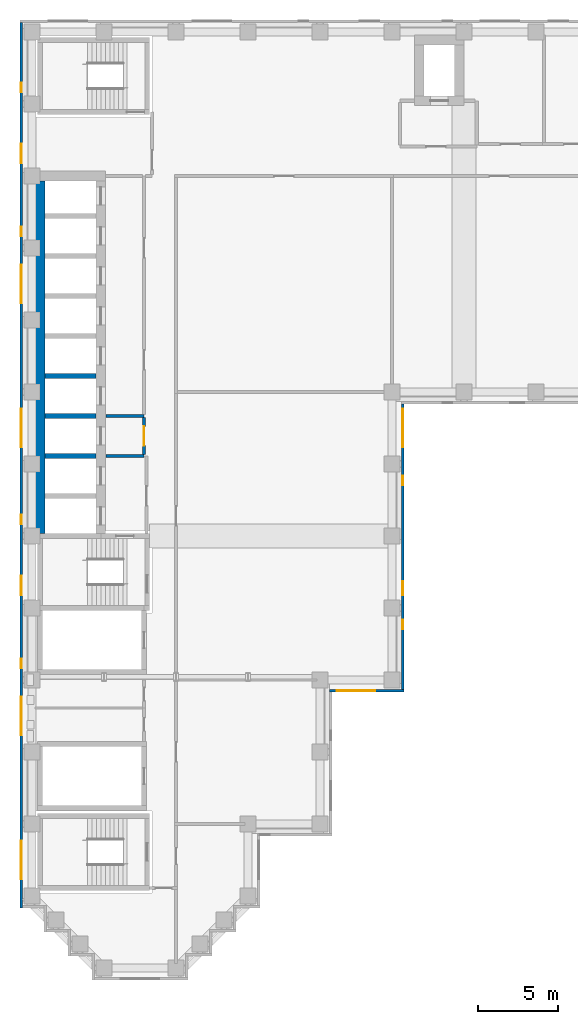
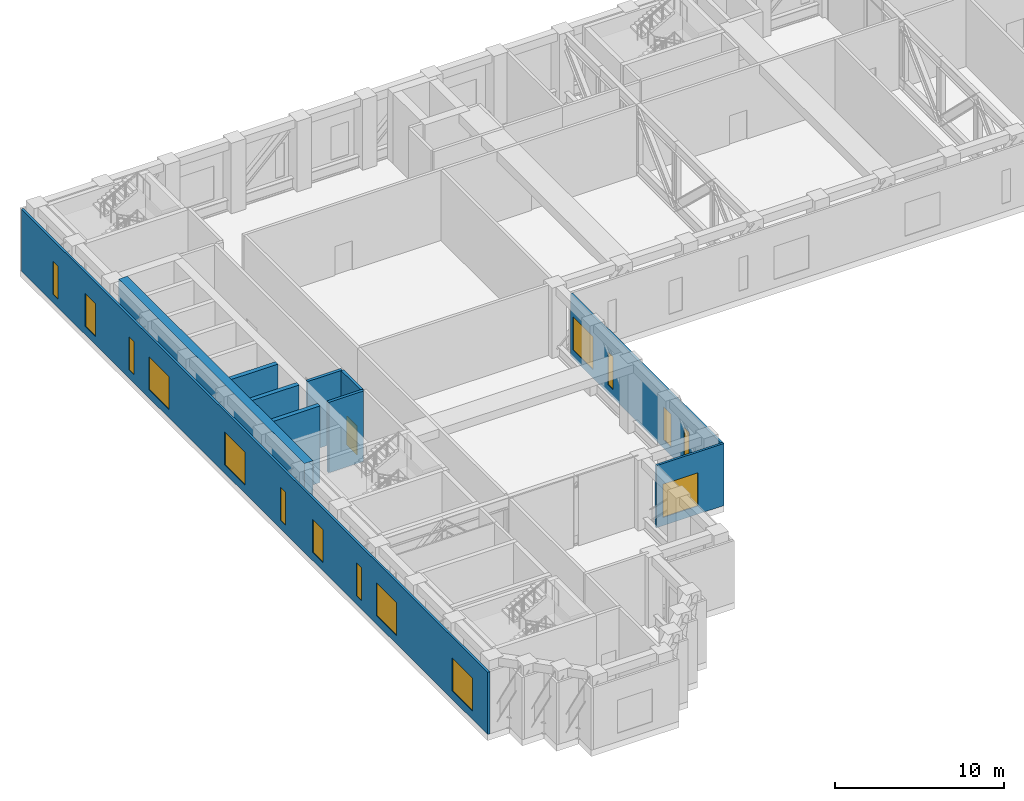
# One storey, part 6 of 14: 15 windows, 10 walls, 1 door, 16 openings.
"""IFC4 building model written with IfcOpenShell, lengths in metres."""

from ifc_helpers import new_model, si_unit, direction, frame, frame_2d, origin, place, context, subcontext, project, spatial, rectangle, extrude, material, layer, layer_set, type_object, element, fill, save


model = new_model("IFC4")

# Units and contexts
model_context = context("Model", 3, precision=1e-05, world=origin(), true_north=direction((0.0, 1.0)))
body_context = subcontext(model_context, "Body", "Model", "MODEL_VIEW")
ifc_project = project(units=[si_unit("LENGTHUNIT", "METRE"), si_unit("AREAUNIT", "SQUARE_METRE"), si_unit("VOLUMEUNIT", "CUBIC_METRE"), si_unit("PLANEANGLEUNIT", "RADIAN"), si_unit("MASSUNIT", "GRAM", prefix="KILO")], contexts=[model_context])

# Site, building, storey
site_placement = place(None, origin())
site = spatial("IfcSite", under=ifc_project, at=site_placement, CompositionType="ELEMENT")
building_placement = place(site_placement, origin())
building = spatial("IfcBuilding", under=site, at=building_placement, Name="Firuza Court", CompositionType="ELEMENT")
storey_placement = place(building_placement, frame((0.0, 0.0, 173.60009765625)))
storey = spatial("IfcBuildingStorey", under=building, at=storey_placement, Name="L44", CompositionType="ELEMENT", Elevation=173.60009765625)

# Walls
ifc_material_1 = material(Name="Concrete C60/75", Category="concrete")
ifc_layer_1 = layer(ifc_material_1, 0.300048828125)
ifc_layer_set_1 = layer_set([ifc_layer_1], Name="Concrete C60/75")
wall_type_1 = type_object("IfcWallType", Name="Core wall 300 C60/75", PredefinedType="SHEAR", material=ifc_layer_set_1)
for number, where, z_axis, x_axis, name in (
    (1, (0.800048828125, 32.0, -0.4501953125), (0.0, 0.0, 1.0), (1.0, 0.0, 0.0), "Core wall lift shaft L44"),
    (2, (0.800048828125, 34.5, -0.4501953125), (0.0, 0.0, 1.0), (1.0, 0.0, 0.0), "Core wall lift shaft L44"),
    (3, (0.800048828125, 37.0, -0.4501953125), (0.0, 0.0, 1.0), (1.0, 0.0, 0.0), "Core wall lift shaft L44"),
):
    element("IfcWall", number, at=place(storey_placement, frame(where, z_axis=z_axis, x_axis=x_axis)), inside=storey, type_object=wall_type_1, Name=name, PredefinedType="SHEAR", context=body_context, shape_type="SweptSolid", body=[
        extrude(rectangle(XDim=3.199951171875, YDim=0.300048828125, at=frame_2d((1.60009765625, 0.0))), origin(), (0.0, 0.0, 1.0), 5.550048828125),
    ])
ifc_layer_2 = layer(ifc_material_1, 0.60009765625)
ifc_layer_set_2 = layer_set([ifc_layer_2], Name="Concrete C60/75")
wall_type_2 = type_object("IfcWallType", Name="Core wall 600 C60/75", PredefinedType="SHEAR", material=ifc_layer_set_2)
wall_1_placement = place(storey_placement, frame((0.5, 27.14990234375, -0.4501953125), z_axis=(0.0, 0.0, 1.0), x_axis=(0.0, 1.0, 0.0)))
element("IfcWall", 4, at=wall_1_placement, inside=storey, type_object=wall_type_2, Name="Core wall lift shaft L44", PredefinedType="SHEAR", context=body_context, shape_type="SweptSolid", body=[
    extrude(rectangle(XDim=22.050048828125, YDim=0.60009765625, at=frame_2d((11.02490234375, 0.0))), origin(), (0.0, 0.0, 1.0), 5.550048828125),
])

# Wall, opening, window
ifc_material_2 = material(Name="Ceramic tile", Category="ceramic")
ifc_layer_3 = layer(ifc_material_2, 0.02001953125)
ifc_material_3 = material(Name="Mineral wool insulation", Category="insulation")
ifc_layer_4 = layer(ifc_material_3, 0.050048828125)
ifc_material_4 = material(Name="Concrete C40/50 precast", Category="concrete")
ifc_layer_5 = layer(ifc_material_4, 0.080078125)
ifc_layer_set_3 = layer_set([ifc_layer_3, ifc_layer_4, ifc_layer_5], Name="Concrete C40/50 precast")
wall_type_3 = type_object("IfcWallType", Name="Precast cladding wall with turquoise TILE PANEL face 150", PredefinedType="STANDARD", material=ifc_layer_set_3)
wall_2_placement = place(storey_placement, frame((18.60009765625, 17.324951171875, 0.0), z_axis=(0.0, 0.0, 1.0), x_axis=(1.0, 0.0, 0.0)))
wall_2 = element("IfcWall", 5, at=wall_2_placement, inside=storey, type_object=wall_type_3, Name="Facade wall L44 S", PredefinedType="STANDARD", context=body_context, shape_type="SweptSolid", body=[
    extrude(rectangle(XDim=4.64990234375, YDim=0.14990234375, at=frame_2d((2.324951171875, 0.0))), origin(), (0.0, 0.0, 1.0), 4.5),
])
opening_1_placement = place(wall_2_placement, frame((0.449951171875, 0.0, 0.60009765625)))
opening_1 = element("IfcOpeningElement", 6, at=opening_1_placement, cuts=wall_2, Name="Opening LV2", PredefinedType="OPENING", context=body_context, shape_type="SweptSolid", body=[
    extrude(rectangle(XDim=2.39990234375, YDim=2.39990234375, at=frame_2d((1.199951171875, 1.199951171875))), frame((0.0, 0.0869140625, 0.0), z_axis=(0.0, -1.0, 0.0), x_axis=(1.0, 0.0, 0.0)), (0.0, 0.0, 1.0), 0.173828125),
])
ifc_material_5 = material(Name="Aluminium weather louvre with insect mesh", Category="aluminium")
window_type_1 = type_object("IfcWindowType", Name="Plant louvre 2400 x 2400", PartitioningType="SINGLE_PANEL", PredefinedType="USERDEFINED", material=ifc_material_5)
window_1_placement = place(opening_1_placement, origin())
window_1 = element("IfcWindow", 7, at=window_1_placement, inside=storey, type_object=window_type_1, Name="Louvre L44", ObjectType="LOUVRE", OverallHeight=2.39990234375, OverallWidth=2.39990234375, PartitioningType="SINGLE_PANEL", PredefinedType="USERDEFINED", context=body_context, shape_type="SweptSolid", body=[
    extrude(rectangle(XDim=2.39990234375, YDim=2.39990234375, at=frame_2d((1.199951171875, 1.199951171875))), frame((0.0, 0.030029296875, 0.0), z_axis=(0.0, -1.0, 0.0), x_axis=(1.0, 0.0, 0.0)), (0.0, 0.0, 1.0), 0.06005859375),
])
fill(opening_1, window_1)

# Wall, openings, windows
wall_3_placement = place(storey_placement, frame((23.175048828125, 17.39990234375, 0.0), z_axis=(0.0, 0.0, 1.0), x_axis=(0.0, 1.0, 0.0)))
wall_3 = element("IfcWall", 8, at=wall_3_placement, inside=storey, type_object=wall_type_3, Name="Facade wall L44 E", PredefinedType="STANDARD", context=body_context, shape_type="SweptSolid", body=[
    extrude(rectangle(XDim=17.85009765625, YDim=0.14990234375, at=frame_2d((8.925048828125, 0.0))), origin(), (0.0, 0.0, 1.0), 4.5),
])
opening_2_placement = place(wall_3_placement, frame((3.77490234375, 0.0, 0.60009765625)))
opening_2 = element("IfcOpeningElement", 9, at=opening_2_placement, cuts=wall_3, Name="Opening LV6", PredefinedType="OPENING", context=body_context, shape_type="SweptSolid", body=[
    extrude(rectangle(XDim=0.60009765625, YDim=2.39990234375, at=frame_2d((0.300048828125, 1.199951171875))), frame((0.0, 0.0869140625, 0.0), z_axis=(0.0, -1.0, 0.0), x_axis=(1.0, 0.0, 0.0)), (0.0, 0.0, 1.0), 0.173828125),
])
opening_3_placement = place(wall_3_placement, frame((5.883544921875, 0.0, 0.60009765625)))
opening_3 = element("IfcOpeningElement", 10, at=opening_3_placement, cuts=wall_3, Name="Opening LV8", PredefinedType="OPENING", context=body_context, shape_type="SweptSolid", body=[
    extrude(rectangle(XDim=0.89990234375, YDim=2.39990234375, at=frame_2d((0.449951171875, 1.199951171875))), frame((0.0, 0.0869140625, 0.0), z_axis=(0.0, -1.0, 0.0), x_axis=(1.0, 0.0, 0.0)), (0.0, 0.0, 1.0), 0.173828125),
])
opening_4_placement = place(wall_3_placement, frame((12.77490234375, 0.0, 0.60009765625)))
opening_4 = element("IfcOpeningElement", 11, at=opening_4_placement, cuts=wall_3, Name="Opening LV6", PredefinedType="OPENING", context=body_context, shape_type="SweptSolid", body=[
    extrude(rectangle(XDim=0.60009765625, YDim=2.39990234375, at=frame_2d((0.300048828125, 1.199951171875))), frame((0.0, 0.0869140625, 0.0), z_axis=(0.0, -1.0, 0.0), x_axis=(1.0, 0.0, 0.0)), (0.0, 0.0, 1.0), 0.173828125),
])
opening_5_placement = place(wall_3_placement, frame((15.14990234375, 0.0, 0.60009765625)))
opening_5 = element("IfcOpeningElement", 12, at=opening_5_placement, cuts=wall_3, Name="Opening LV2", PredefinedType="OPENING", context=body_context, shape_type="SweptSolid", body=[
    extrude(rectangle(XDim=2.39990234375, YDim=2.39990234375, at=frame_2d((1.199951171875, 1.199951171875))), frame((0.0, 0.0869140625, 0.0), z_axis=(0.0, -1.0, 0.0), x_axis=(1.0, 0.0, 0.0)), (0.0, 0.0, 1.0), 0.173828125),
])
window_2_placement = place(opening_5_placement, origin())
window_2 = element("IfcWindow", 13, at=window_2_placement, inside=storey, type_object=window_type_1, Name="Louvre L44", ObjectType="LOUVRE", OverallHeight=2.39990234375, OverallWidth=2.39990234375, PartitioningType="SINGLE_PANEL", PredefinedType="USERDEFINED", context=body_context, shape_type="SweptSolid", body=[
    extrude(rectangle(XDim=2.39990234375, YDim=2.39990234375, at=frame_2d((1.199951171875, 1.199951171875))), frame((0.0, 0.030029296875, 0.0), z_axis=(0.0, -1.0, 0.0), x_axis=(1.0, 0.0, 0.0)), (0.0, 0.0, 1.0), 0.06005859375),
])
fill(opening_5, window_2)
ifc_material_6 = material(Name="Aluminium weather louvre with insect mesh", Category="aluminium")
window_type_2 = type_object("IfcWindowType", Name="Plant louvre 600 x 2400", PartitioningType="SINGLE_PANEL", PredefinedType="USERDEFINED", material=ifc_material_6)
window_3_placement = place(opening_2_placement, origin())
window_3 = element("IfcWindow", 14, at=window_3_placement, inside=storey, type_object=window_type_2, Name="Louvre L44", ObjectType="LOUVRE", OverallHeight=2.39990234375, OverallWidth=0.60009765625, PartitioningType="SINGLE_PANEL", PredefinedType="USERDEFINED", context=body_context, shape_type="SweptSolid", body=[
    extrude(rectangle(XDim=0.60009765625, YDim=2.39990234375, at=frame_2d((0.300048828125, 1.199951171875))), frame((0.0, 0.030029296875, 0.0), z_axis=(0.0, -1.0, 0.0), x_axis=(1.0, 0.0, 0.0)), (0.0, 0.0, 1.0), 0.06005859375),
])
fill(opening_2, window_3)
window_4_placement = place(opening_4_placement, origin())
window_4 = element("IfcWindow", 15, at=window_4_placement, inside=storey, type_object=window_type_2, Name="Louvre L44", ObjectType="LOUVRE", OverallHeight=2.39990234375, OverallWidth=0.60009765625, PartitioningType="SINGLE_PANEL", PredefinedType="USERDEFINED", context=body_context, shape_type="SweptSolid", body=[
    extrude(rectangle(XDim=0.60009765625, YDim=2.39990234375, at=frame_2d((0.300048828125, 1.199951171875))), frame((0.0, 0.030029296875, 0.0), z_axis=(0.0, -1.0, 0.0), x_axis=(1.0, 0.0, 0.0)), (0.0, 0.0, 1.0), 0.06005859375),
])
fill(opening_4, window_4)
ifc_material_7 = material(Name="Aluminium weather louvre with insect mesh", Category="aluminium")
window_type_3 = type_object("IfcWindowType", Name="Plant louvre 900 x 2400", PartitioningType="SINGLE_PANEL", PredefinedType="USERDEFINED", material=ifc_material_7)
window_5_placement = place(opening_3_placement, origin())
window_5 = element("IfcWindow", 16, at=window_5_placement, inside=storey, type_object=window_type_3, Name="Louvre L44", ObjectType="LOUVRE", OverallHeight=2.39990234375, OverallWidth=0.89990234375, PartitioningType="SINGLE_PANEL", PredefinedType="USERDEFINED", context=body_context, shape_type="SweptSolid", body=[
    extrude(rectangle(XDim=0.89990234375, YDim=2.39990234375, at=frame_2d((0.449951171875, 1.199951171875))), frame((0.0, 0.030029296875, 0.0), z_axis=(0.0, -1.0, 0.0), x_axis=(1.0, 0.0, 0.0)), (0.0, 0.0, 1.0), 0.06005859375),
])
fill(opening_3, window_5)

wall_4_placement = place(storey_placement, frame((-0.675048828125, 59.10009765625, 0.0), z_axis=(0.0, 0.0, 1.0), x_axis=(0.0, -1.0, 0.0)))
wall_4 = element("IfcWall", 17, at=wall_4_placement, inside=storey, type_object=wall_type_3, Name="Facade wall L44 W", PredefinedType="STANDARD", context=body_context, shape_type="SweptSolid", body=[
    extrude(rectangle(XDim=55.35009765625, YDim=0.14990234375, at=frame_2d((27.675048828125, 0.0))), origin(), (0.0, 0.0, 1.0), 4.5),
])
opening_6_placement = place(wall_4_placement, frame((3.77490234375, 0.0, 0.60009765625)))
opening_6 = element("IfcOpeningElement", 18, at=opening_6_placement, cuts=wall_4, Name="Opening LV6", PredefinedType="OPENING", context=body_context, shape_type="SweptSolid", body=[
    extrude(rectangle(XDim=0.60009765625, YDim=2.39990234375, at=frame_2d((0.300048828125, 1.199951171875))), frame((0.0, 0.0869140625, 0.0), z_axis=(0.0, -1.0, 0.0), x_axis=(1.0, 0.0, 0.0)), (0.0, 0.0, 1.0), 0.173828125),
])
opening_7_placement = place(wall_4_placement, frame((7.587890625, 0.0, 0.60009765625)))
opening_7 = element("IfcOpeningElement", 19, at=opening_7_placement, cuts=wall_4, Name="Opening LV5", PredefinedType="OPENING", context=body_context, shape_type="SweptSolid", body=[
    extrude(rectangle(XDim=1.199951171875, YDim=2.39990234375, at=frame_2d((0.60009765625, 1.199951171875))), frame((0.0, 0.0869140625, 0.0), z_axis=(0.0, -1.0, 0.0), x_axis=(1.0, 0.0, 0.0)), (0.0, 0.0, 1.0), 0.173828125),
])
opening_8_placement = place(wall_4_placement, frame((12.77490234375, 0.0, 0.60009765625)))
opening_8 = element("IfcOpeningElement", 20, at=opening_8_placement, cuts=wall_4, Name="Opening LV6", PredefinedType="OPENING", context=body_context, shape_type="SweptSolid", body=[
    extrude(rectangle(XDim=0.60009765625, YDim=2.39990234375, at=frame_2d((0.300048828125, 1.199951171875))), frame((0.0, 0.0869140625, 0.0), z_axis=(0.0, -1.0, 0.0), x_axis=(1.0, 0.0, 0.0)), (0.0, 0.0, 1.0), 0.173828125),
])
opening_9_placement = place(wall_4_placement, frame((15.14990234375, 0.0, 0.60009765625)))
opening_9 = element("IfcOpeningElement", 21, at=opening_9_placement, cuts=wall_4, Name="Opening LV2", PredefinedType="OPENING", context=body_context, shape_type="SweptSolid", body=[
    extrude(rectangle(XDim=2.39990234375, YDim=2.39990234375, at=frame_2d((1.199951171875, 1.199951171875))), frame((0.0, 0.0869140625, 0.0), z_axis=(0.0, -1.0, 0.0), x_axis=(1.0, 0.0, 0.0)), (0.0, 0.0, 1.0), 0.173828125),
])
opening_10_placement = place(wall_4_placement, frame((24.14990234375, 0.0, 0.60009765625)))
opening_10 = element("IfcOpeningElement", 22, at=opening_10_placement, cuts=wall_4, Name="Opening LV2", PredefinedType="OPENING", context=body_context, shape_type="SweptSolid", body=[
    extrude(rectangle(XDim=2.39990234375, YDim=2.39990234375, at=frame_2d((1.199951171875, 1.199951171875))), frame((0.0, 0.0869140625, 0.0), z_axis=(0.0, -1.0, 0.0), x_axis=(1.0, 0.0, 0.0)), (0.0, 0.0, 1.0), 0.173828125),
])
opening_11_placement = place(wall_4_placement, frame((30.77490234375, 0.0, 0.60009765625)))
opening_11 = element("IfcOpeningElement", 23, at=opening_11_placement, cuts=wall_4, Name="Opening LV6", PredefinedType="OPENING", context=body_context, shape_type="SweptSolid", body=[
    extrude(rectangle(XDim=0.60009765625, YDim=2.39990234375, at=frame_2d((0.300048828125, 1.199951171875))), frame((0.0, 0.0869140625, 0.0), z_axis=(0.0, -1.0, 0.0), x_axis=(1.0, 0.0, 0.0)), (0.0, 0.0, 1.0), 0.173828125),
])
opening_12_placement = place(wall_4_placement, frame((34.587890625, 0.0, 0.60009765625)))
opening_12 = element("IfcOpeningElement", 24, at=opening_12_placement, cuts=wall_4, Name="Opening LV5", PredefinedType="OPENING", context=body_context, shape_type="SweptSolid", body=[
    extrude(rectangle(XDim=1.199951171875, YDim=2.39990234375, at=frame_2d((0.60009765625, 1.199951171875))), frame((0.0, 0.0869140625, 0.0), z_axis=(0.0, -1.0, 0.0), x_axis=(1.0, 0.0, 0.0)), (0.0, 0.0, 1.0), 0.173828125),
])
opening_13_placement = place(wall_4_placement, frame((39.77490234375, 0.0, 0.60009765625)))
opening_13 = element("IfcOpeningElement", 25, at=opening_13_placement, cuts=wall_4, Name="Opening LV6", PredefinedType="OPENING", context=body_context, shape_type="SweptSolid", body=[
    extrude(rectangle(XDim=0.60009765625, YDim=2.39990234375, at=frame_2d((0.300048828125, 1.199951171875))), frame((0.0, 0.0869140625, 0.0), z_axis=(0.0, -1.0, 0.0), x_axis=(1.0, 0.0, 0.0)), (0.0, 0.0, 1.0), 0.173828125),
])
opening_14_placement = place(wall_4_placement, frame((42.14990234375, 0.0, 0.60009765625)))
opening_14 = element("IfcOpeningElement", 26, at=opening_14_placement, cuts=wall_4, Name="Opening LV2", PredefinedType="OPENING", context=body_context, shape_type="SweptSolid", body=[
    extrude(rectangle(XDim=2.39990234375, YDim=2.39990234375, at=frame_2d((1.199951171875, 1.199951171875))), frame((0.0, 0.0869140625, 0.0), z_axis=(0.0, -1.0, 0.0), x_axis=(1.0, 0.0, 0.0)), (0.0, 0.0, 1.0), 0.173828125),
])
opening_15_placement = place(wall_4_placement, frame((51.14990234375, 0.0, 0.60009765625)))
opening_15 = element("IfcOpeningElement", 27, at=opening_15_placement, cuts=wall_4, Name="Opening LV2", PredefinedType="OPENING", context=body_context, shape_type="SweptSolid", body=[
    extrude(rectangle(XDim=2.39990234375, YDim=2.39990234375, at=frame_2d((1.199951171875, 1.199951171875))), frame((0.0, 0.0869140625, 0.0), z_axis=(0.0, -1.0, 0.0), x_axis=(1.0, 0.0, 0.0)), (0.0, 0.0, 1.0), 0.173828125),
])
ifc_material_8 = material(Name="Aluminium weather louvre with insect mesh", Category="aluminium")
window_type_4 = type_object("IfcWindowType", Name="Plant louvre 1200 x 2400", PartitioningType="SINGLE_PANEL", PredefinedType="USERDEFINED", material=ifc_material_8)
window_6_placement = place(opening_7_placement, origin())
window_6 = element("IfcWindow", 28, at=window_6_placement, inside=storey, type_object=window_type_4, Name="Louvre L44", ObjectType="LOUVRE", OverallHeight=2.39990234375, OverallWidth=1.199951171875, PartitioningType="SINGLE_PANEL", PredefinedType="USERDEFINED", context=body_context, shape_type="SweptSolid", body=[
    extrude(rectangle(XDim=1.199951171875, YDim=2.39990234375, at=frame_2d((0.60009765625, 1.199951171875))), frame((0.0, 0.030029296875, 0.0), z_axis=(0.0, -1.0, 0.0), x_axis=(1.0, 0.0, 0.0)), (0.0, 0.0, 1.0), 0.06005859375),
])
fill(opening_7, window_6)
window_7_placement = place(opening_12_placement, origin())
window_7 = element("IfcWindow", 29, at=window_7_placement, inside=storey, type_object=window_type_4, Name="Louvre L44", ObjectType="LOUVRE", OverallHeight=2.39990234375, OverallWidth=1.199951171875, PartitioningType="SINGLE_PANEL", PredefinedType="USERDEFINED", context=body_context, shape_type="SweptSolid", body=[
    extrude(rectangle(XDim=1.199951171875, YDim=2.39990234375, at=frame_2d((0.60009765625, 1.199951171875))), frame((0.0, 0.030029296875, 0.0), z_axis=(0.0, -1.0, 0.0), x_axis=(1.0, 0.0, 0.0)), (0.0, 0.0, 1.0), 0.06005859375),
])
fill(opening_12, window_7)
window_8_placement = place(opening_9_placement, origin())
window_8 = element("IfcWindow", 30, at=window_8_placement, inside=storey, type_object=window_type_1, Name="Louvre L44", ObjectType="LOUVRE", OverallHeight=2.39990234375, OverallWidth=2.39990234375, PartitioningType="SINGLE_PANEL", PredefinedType="USERDEFINED", context=body_context, shape_type="SweptSolid", body=[
    extrude(rectangle(XDim=2.39990234375, YDim=2.39990234375, at=frame_2d((1.199951171875, 1.199951171875))), frame((0.0, 0.030029296875, 0.0), z_axis=(0.0, -1.0, 0.0), x_axis=(1.0, 0.0, 0.0)), (0.0, 0.0, 1.0), 0.06005859375),
])
fill(opening_9, window_8)
window_9_placement = place(opening_10_placement, origin())
window_9 = element("IfcWindow", 31, at=window_9_placement, inside=storey, type_object=window_type_1, Name="Louvre L44", ObjectType="LOUVRE", OverallHeight=2.39990234375, OverallWidth=2.39990234375, PartitioningType="SINGLE_PANEL", PredefinedType="USERDEFINED", context=body_context, shape_type="SweptSolid", body=[
    extrude(rectangle(XDim=2.39990234375, YDim=2.39990234375, at=frame_2d((1.199951171875, 1.199951171875))), frame((0.0, 0.030029296875, 0.0), z_axis=(0.0, -1.0, 0.0), x_axis=(1.0, 0.0, 0.0)), (0.0, 0.0, 1.0), 0.06005859375),
])
fill(opening_10, window_9)
window_10_placement = place(opening_14_placement, origin())
window_10 = element("IfcWindow", 32, at=window_10_placement, inside=storey, type_object=window_type_1, Name="Louvre L44", ObjectType="LOUVRE", OverallHeight=2.39990234375, OverallWidth=2.39990234375, PartitioningType="SINGLE_PANEL", PredefinedType="USERDEFINED", context=body_context, shape_type="SweptSolid", body=[
    extrude(rectangle(XDim=2.39990234375, YDim=2.39990234375, at=frame_2d((1.199951171875, 1.199951171875))), frame((0.0, 0.030029296875, 0.0), z_axis=(0.0, -1.0, 0.0), x_axis=(1.0, 0.0, 0.0)), (0.0, 0.0, 1.0), 0.06005859375),
])
fill(opening_14, window_10)
window_11_placement = place(opening_15_placement, origin())
window_11 = element("IfcWindow", 33, at=window_11_placement, inside=storey, type_object=window_type_1, Name="Louvre L44", ObjectType="LOUVRE", OverallHeight=2.39990234375, OverallWidth=2.39990234375, PartitioningType="SINGLE_PANEL", PredefinedType="USERDEFINED", context=body_context, shape_type="SweptSolid", body=[
    extrude(rectangle(XDim=2.39990234375, YDim=2.39990234375, at=frame_2d((1.199951171875, 1.199951171875))), frame((0.0, 0.030029296875, 0.0), z_axis=(0.0, -1.0, 0.0), x_axis=(1.0, 0.0, 0.0)), (0.0, 0.0, 1.0), 0.06005859375),
])
fill(opening_15, window_11)
window_12_placement = place(opening_6_placement, origin())
window_12 = element("IfcWindow", 34, at=window_12_placement, inside=storey, type_object=window_type_2, Name="Louvre L44", ObjectType="LOUVRE", OverallHeight=2.39990234375, OverallWidth=0.60009765625, PartitioningType="SINGLE_PANEL", PredefinedType="USERDEFINED", context=body_context, shape_type="SweptSolid", body=[
    extrude(rectangle(XDim=0.60009765625, YDim=2.39990234375, at=frame_2d((0.300048828125, 1.199951171875))), frame((0.0, 0.030029296875, 0.0), z_axis=(0.0, -1.0, 0.0), x_axis=(1.0, 0.0, 0.0)), (0.0, 0.0, 1.0), 0.06005859375),
])
fill(opening_6, window_12)
window_13_placement = place(opening_8_placement, origin())
window_13 = element("IfcWindow", 35, at=window_13_placement, inside=storey, type_object=window_type_2, Name="Louvre L44", ObjectType="LOUVRE", OverallHeight=2.39990234375, OverallWidth=0.60009765625, PartitioningType="SINGLE_PANEL", PredefinedType="USERDEFINED", context=body_context, shape_type="SweptSolid", body=[
    extrude(rectangle(XDim=0.60009765625, YDim=2.39990234375, at=frame_2d((0.300048828125, 1.199951171875))), frame((0.0, 0.030029296875, 0.0), z_axis=(0.0, -1.0, 0.0), x_axis=(1.0, 0.0, 0.0)), (0.0, 0.0, 1.0), 0.06005859375),
])
fill(opening_8, window_13)
window_14_placement = place(opening_11_placement, origin())
window_14 = element("IfcWindow", 36, at=window_14_placement, inside=storey, type_object=window_type_2, Name="Louvre L44", ObjectType="LOUVRE", OverallHeight=2.39990234375, OverallWidth=0.60009765625, PartitioningType="SINGLE_PANEL", PredefinedType="USERDEFINED", context=body_context, shape_type="SweptSolid", body=[
    extrude(rectangle(XDim=0.60009765625, YDim=2.39990234375, at=frame_2d((0.300048828125, 1.199951171875))), frame((0.0, 0.030029296875, 0.0), z_axis=(0.0, -1.0, 0.0), x_axis=(1.0, 0.0, 0.0)), (0.0, 0.0, 1.0), 0.06005859375),
])
fill(opening_11, window_14)
window_15_placement = place(opening_13_placement, origin())
window_15 = element("IfcWindow", 37, at=window_15_placement, inside=storey, type_object=window_type_2, Name="Louvre L44", ObjectType="LOUVRE", OverallHeight=2.39990234375, OverallWidth=0.60009765625, PartitioningType="SINGLE_PANEL", PredefinedType="USERDEFINED", context=body_context, shape_type="SweptSolid", body=[
    extrude(rectangle(XDim=0.60009765625, YDim=2.39990234375, at=frame_2d((0.300048828125, 1.199951171875))), frame((0.0, 0.030029296875, 0.0), z_axis=(0.0, -1.0, 0.0), x_axis=(1.0, 0.0, 0.0)), (0.0, 0.0, 1.0), 0.06005859375),
])
fill(opening_13, window_15)

# Walls
ifc_material_9 = material(Name="Blockwork, fire-rated", Category="masonry")
ifc_layer_6 = layer(ifc_material_9, 0.199951171875)
ifc_layer_set_4 = layer_set([ifc_layer_6], Name="Blockwork, fire-rated")
wall_type_4 = type_object("IfcWallType", Name="Shaft wall 200", PredefinedType="PARTITIONING", material=ifc_layer_set_4)
for number, where, z_axis, x_axis, name in (
    (38, (4.6201171875, 34.5, 0.0), (0.0, 0.0, 1.0), (1.0, 0.0, 0.0), "Shaft wall 200 L44"),
    (39, (4.6201171875, 32.0, 0.0), (0.0, 0.0, 1.0), (1.0, 0.0, 0.0), "Shaft wall 200 L44"),
):
    element("IfcWall", number, at=place(storey_placement, frame(where, z_axis=z_axis, x_axis=x_axis)), inside=storey, type_object=wall_type_4, Name=name, PredefinedType="PARTITIONING", context=body_context, shape_type="SweptSolid", body=[
        extrude(rectangle(XDim=2.3798828125, YDim=0.199951171875, at=frame_2d((1.18994140625, 0.0))), origin(), (0.0, 0.0, 1.0), 5.099853515625),
    ])

# Wall, opening, door
wall_5_placement = place(storey_placement, frame((7.0, 32.10009765625, 0.0), z_axis=(0.0, 0.0, 1.0), x_axis=(0.0, 1.0, 0.0)))
wall_5 = element("IfcWall", 40, at=wall_5_placement, inside=storey, type_object=wall_type_4, Name="Shaft wall 200 L44", PredefinedType="PARTITIONING", context=body_context, shape_type="SweptSolid", body=[
    extrude(rectangle(XDim=2.2998046875, YDim=0.199951171875, at=frame_2d((1.14990234375, 0.0))), origin(), (0.0, 0.0, 1.0), 5.099853515625),
])
opening_16_placement = place(wall_5_placement, frame((0.550048828125, 0.0, 0.0)))
opening_16 = element("IfcOpeningElement", 41, at=opening_16_placement, cuts=wall_5, Name="Opening D44008", PredefinedType="OPENING", context=body_context, shape_type="SweptSolid", body=[
    extrude(rectangle(XDim=1.199951171875, YDim=2.10009765625, at=frame_2d((0.60009765625, 1.050048828125))), frame((0.0, 0.11181640625, 0.0), z_axis=(0.0, -1.0, 0.0), x_axis=(1.0, 0.0, 0.0)), (0.0, 0.0, 1.0), 0.223876953125),
])
ifc_material_10 = material(Name="Timber door leaf in hardwood frame", Category="wood")
door_type = type_object("IfcDoorType", Name="Lobby door 1200", OperationType="SINGLE_SWING_LEFT", PredefinedType="DOOR", material=ifc_material_10)
door_placement = place(opening_16_placement, origin())
door = element("IfcDoor", 42, at=door_placement, inside=storey, type_object=door_type, Name="Lobby door", OperationType="SINGLE_SWING_LEFT", OverallHeight=2.10009765625, OverallWidth=1.199951171875, PredefinedType="DOOR", context=body_context, shape_type="SweptSolid", body=[
    extrude(rectangle(XDim=1.199951171875, YDim=2.10009765625, at=frame_2d((0.60009765625, 1.050048828125))), frame((0.0, 0.02490234375, 0.0), z_axis=(0.0, -1.0, 0.0), x_axis=(1.0, 0.0, 0.0)), (0.0, 0.0, 1.0), 0.050048828125),
])
fill(opening_16, door)

save(model, "model.ifc")
